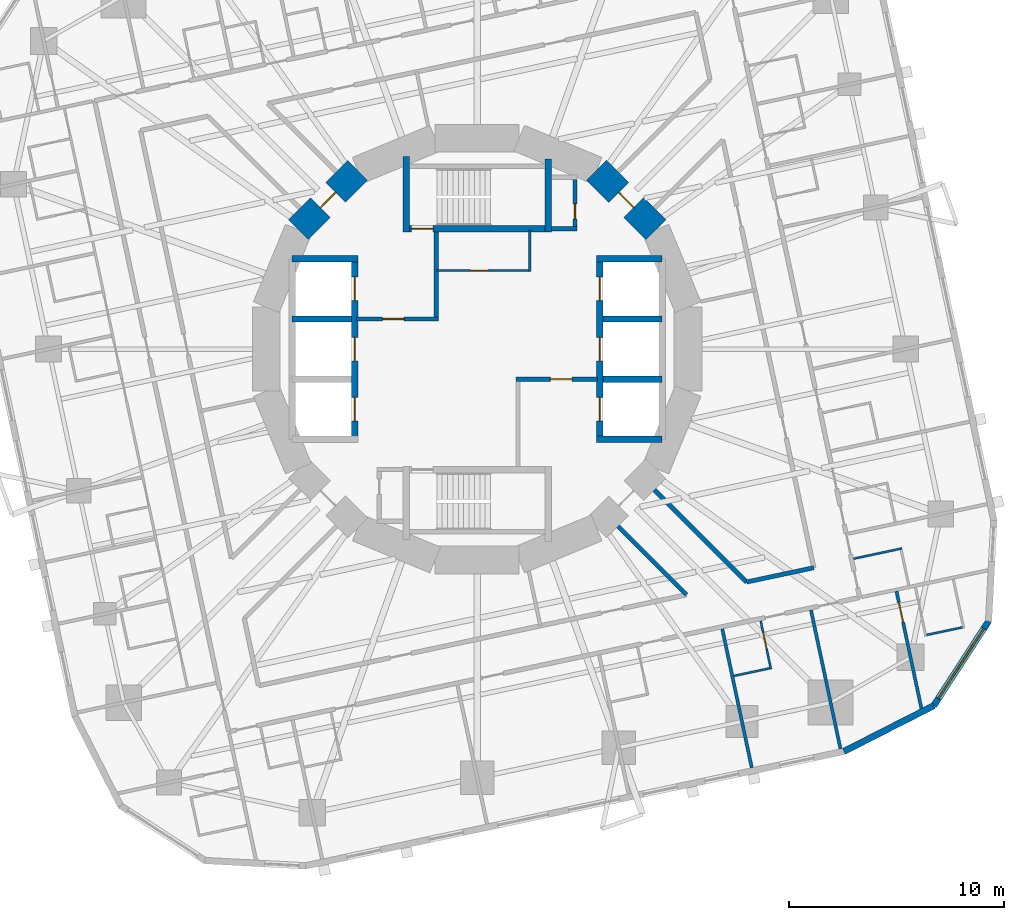
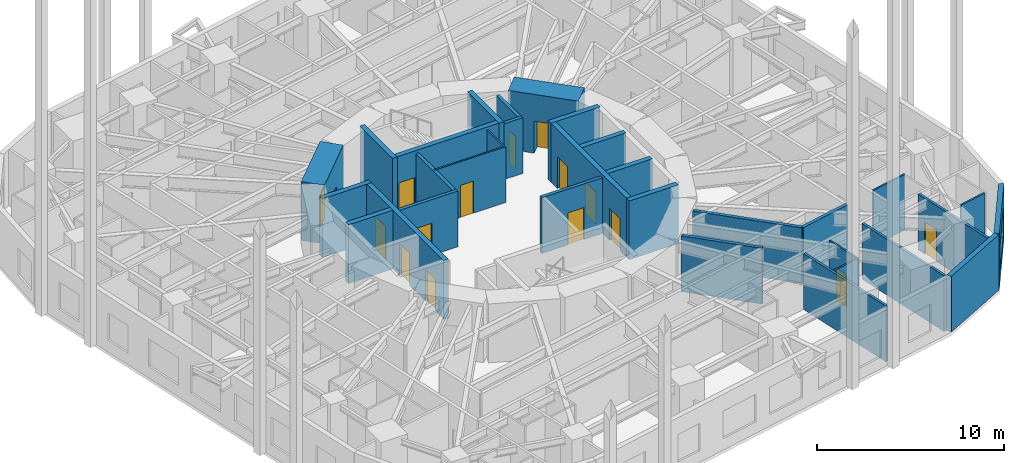
# One storey, part 7 of 12: 32 walls, 15 doors, 1 window, 16 openings.
"""IFC4 building model written with IfcOpenShell, lengths in metres."""

from ifc_helpers import new_model, si_unit, direction, frame, frame_2d, origin, place, context, subcontext, project, spatial, rectangle, extrude, material, layer, layer_set, type_object, element, fill, save


model = new_model("IFC4")

# Units and contexts
model_context = context("Model", 3, precision=1e-05, world=origin(), true_north=direction((0.0, 1.0)))
body_context = subcontext(model_context, "Body", "Model", "MODEL_VIEW")
ifc_project = project(units=[si_unit("LENGTHUNIT", "METRE"), si_unit("AREAUNIT", "SQUARE_METRE"), si_unit("VOLUMEUNIT", "CUBIC_METRE"), si_unit("PLANEANGLEUNIT", "RADIAN"), si_unit("MASSUNIT", "GRAM", prefix="KILO")], contexts=[model_context])

# Site, building, storey
site_placement = place(None, origin())
site = spatial("IfcSite", under=ifc_project, at=site_placement, CompositionType="ELEMENT")
building_placement = place(site_placement, origin())
building = spatial("IfcBuilding", under=site, at=building_placement, Name="Nakasero Lantern House", CompositionType="ELEMENT")
storey_placement = place(building_placement, frame((0.0, 0.0, 101.14990234375)))
storey = spatial("IfcBuildingStorey", under=building, at=storey_placement, Name="L24", CompositionType="ELEMENT", Elevation=101.14990234375)

# Wall, openings, doors
ifc_material_1 = material(Name="Concrete C50/60", Category="concrete")
ifc_layer_1 = layer(ifc_material_1, 0.300048828125)
ifc_layer_set_1 = layer_set([ifc_layer_1], Name="Core inner wall 300")
wall_type_1 = type_object("IfcWallType", Name="Core inner wall 300", PredefinedType="SHEAR", material=ifc_layer_set_1)
wall_1_placement = place(storey_placement, frame((-5.699951171875, -4.199951171875, 0.0), z_axis=(0.0, 0.0, 1.0), x_axis=(0.0, 1.0, 0.0)))
wall_1 = element("IfcWall", 1, at=wall_1_placement, inside=storey, type_object=wall_type_1, Name="Core inner wall L24 LW", PredefinedType="SHEAR", context=body_context, shape_type="SweptSolid", body=[
    extrude(rectangle(XDim=8.39990234375, YDim=0.300048828125, at=frame_2d((4.199951171875, 0.0))), origin(), (0.0, 0.0, 1.0), 3.85009765625),
])
opening_1_placement = place(wall_1_placement, frame((0.85009765625, 0.0, 0.0)))
opening_1 = element("IfcOpeningElement", 2, at=opening_1_placement, cuts=wall_1, Name="Opening LD", PredefinedType="OPENING", context=body_context, shape_type="SweptSolid", body=[
    extrude(rectangle(XDim=1.10009765625, YDim=2.10009765625, at=frame_2d((0.550048828125, 1.050048828125))), frame((0.0, 0.169921875, 0.0), z_axis=(0.0, -1.0, 0.0), x_axis=(1.0, 0.0, 0.0)), (0.0, 0.0, 1.0), 0.340087890625),
])
opening_2_placement = place(wall_1_placement, frame((3.64990234375, 0.0, 0.0)))
opening_2 = element("IfcOpeningElement", 3, at=opening_2_placement, cuts=wall_1, Name="Opening LD", PredefinedType="OPENING", context=body_context, shape_type="SweptSolid", body=[
    extrude(rectangle(XDim=1.10009765625, YDim=2.10009765625, at=frame_2d((0.550048828125, 1.050048828125))), frame((0.0, 0.169921875, 0.0), z_axis=(0.0, -1.0, 0.0), x_axis=(1.0, 0.0, 0.0)), (0.0, 0.0, 1.0), 0.340087890625),
])
opening_3_placement = place(wall_1_placement, frame((6.449951171875, 0.0, 0.0)))
opening_3 = element("IfcOpeningElement", 4, at=opening_3_placement, cuts=wall_1, Name="Opening LD", PredefinedType="OPENING", context=body_context, shape_type="SweptSolid", body=[
    extrude(rectangle(XDim=1.10009765625, YDim=2.10009765625, at=frame_2d((0.550048828125, 1.050048828125))), frame((0.0, 0.169921875, 0.0), z_axis=(0.0, -1.0, 0.0), x_axis=(1.0, 0.0, 0.0)), (0.0, 0.0, 1.0), 0.340087890625),
])
ifc_material_2 = material(Name="Steel S355", Category="steel")
door_type_1 = type_object("IfcDoorType", Name="Lift landing door E120 1100", OperationType="SLIDING_TO_LEFT", PredefinedType="DOOR", material=ifc_material_2)
door_1_placement = place(opening_1_placement, origin())
door_1 = element("IfcDoor", 5, at=door_1_placement, inside=storey, type_object=door_type_1, Name="Lift landing door LW1", OperationType="SLIDING_TO_LEFT", OverallHeight=2.10009765625, OverallWidth=1.10009765625, PredefinedType="DOOR", context=body_context, shape_type="SweptSolid", body=[
    extrude(rectangle(XDim=1.10009765625, YDim=2.10009765625, at=frame_2d((0.550048828125, 1.050048828125))), frame((0.0, 0.02490234375, 0.0), z_axis=(0.0, -1.0, 0.0), x_axis=(1.0, 0.0, 0.0)), (0.0, 0.0, 1.0), 0.050048828125),
])
fill(opening_1, door_1)
door_2_placement = place(opening_2_placement, origin())
door_2 = element("IfcDoor", 6, at=door_2_placement, inside=storey, type_object=door_type_1, Name="Lift landing door LW2", OperationType="SLIDING_TO_LEFT", OverallHeight=2.10009765625, OverallWidth=1.10009765625, PredefinedType="DOOR", context=body_context, shape_type="SweptSolid", body=[
    extrude(rectangle(XDim=1.10009765625, YDim=2.10009765625, at=frame_2d((0.550048828125, 1.050048828125))), frame((0.0, 0.02490234375, 0.0), z_axis=(0.0, -1.0, 0.0), x_axis=(1.0, 0.0, 0.0)), (0.0, 0.0, 1.0), 0.050048828125),
])
fill(opening_2, door_2)
door_3_placement = place(opening_3_placement, origin())
door_3 = element("IfcDoor", 7, at=door_3_placement, inside=storey, type_object=door_type_1, Name="Lift landing door LW3", OperationType="SLIDING_TO_LEFT", OverallHeight=2.10009765625, OverallWidth=1.10009765625, PredefinedType="DOOR", context=body_context, shape_type="SweptSolid", body=[
    extrude(rectangle(XDim=1.10009765625, YDim=2.10009765625, at=frame_2d((0.550048828125, 1.050048828125))), frame((0.0, 0.02490234375, 0.0), z_axis=(0.0, -1.0, 0.0), x_axis=(1.0, 0.0, 0.0)), (0.0, 0.0, 1.0), 0.050048828125),
])
fill(opening_3, door_3)

wall_2_placement = place(storey_placement, frame((5.699951171875, -4.199951171875, 0.0), z_axis=(0.0, 0.0, 1.0), x_axis=(0.0, 1.0, 0.0)))
wall_2 = element("IfcWall", 8, at=wall_2_placement, inside=storey, type_object=wall_type_1, Name="Core inner wall L24 LE", PredefinedType="SHEAR", context=body_context, shape_type="SweptSolid", body=[
    extrude(rectangle(XDim=8.39990234375, YDim=0.300048828125, at=frame_2d((4.199951171875, 0.0))), origin(), (0.0, 0.0, 1.0), 3.85009765625),
])
opening_4_placement = place(wall_2_placement, frame((0.85009765625, 0.0, 0.0)))
opening_4 = element("IfcOpeningElement", 9, at=opening_4_placement, cuts=wall_2, Name="Opening LD", PredefinedType="OPENING", context=body_context, shape_type="SweptSolid", body=[
    extrude(rectangle(XDim=1.10009765625, YDim=2.10009765625, at=frame_2d((0.550048828125, 1.050048828125))), frame((0.0, 0.169921875, 0.0), z_axis=(0.0, -1.0, 0.0), x_axis=(1.0, 0.0, 0.0)), (0.0, 0.0, 1.0), 0.340087890625),
])
opening_5_placement = place(wall_2_placement, frame((3.64990234375, 0.0, 0.0)))
opening_5 = element("IfcOpeningElement", 10, at=opening_5_placement, cuts=wall_2, Name="Opening LD", PredefinedType="OPENING", context=body_context, shape_type="SweptSolid", body=[
    extrude(rectangle(XDim=1.10009765625, YDim=2.10009765625, at=frame_2d((0.550048828125, 1.050048828125))), frame((0.0, 0.169921875, 0.0), z_axis=(0.0, -1.0, 0.0), x_axis=(1.0, 0.0, 0.0)), (0.0, 0.0, 1.0), 0.340087890625),
])
opening_6_placement = place(wall_2_placement, frame((6.449951171875, 0.0, 0.0)))
opening_6 = element("IfcOpeningElement", 11, at=opening_6_placement, cuts=wall_2, Name="Opening LD", PredefinedType="OPENING", context=body_context, shape_type="SweptSolid", body=[
    extrude(rectangle(XDim=1.10009765625, YDim=2.10009765625, at=frame_2d((0.550048828125, 1.050048828125))), frame((0.0, 0.169921875, 0.0), z_axis=(0.0, -1.0, 0.0), x_axis=(1.0, 0.0, 0.0)), (0.0, 0.0, 1.0), 0.340087890625),
])
door_4_placement = place(opening_4_placement, origin())
door_4 = element("IfcDoor", 12, at=door_4_placement, inside=storey, type_object=door_type_1, Name="Lift landing door LE1", OperationType="SLIDING_TO_LEFT", OverallHeight=2.10009765625, OverallWidth=1.10009765625, PredefinedType="DOOR", context=body_context, shape_type="SweptSolid", body=[
    extrude(rectangle(XDim=1.10009765625, YDim=2.10009765625, at=frame_2d((0.550048828125, 1.050048828125))), frame((0.0, 0.02490234375, 0.0), z_axis=(0.0, -1.0, 0.0), x_axis=(1.0, 0.0, 0.0)), (0.0, 0.0, 1.0), 0.050048828125),
])
fill(opening_4, door_4)
door_5_placement = place(opening_5_placement, origin())
door_5 = element("IfcDoor", 13, at=door_5_placement, inside=storey, type_object=door_type_1, Name="Lift landing door LE2", OperationType="SLIDING_TO_LEFT", OverallHeight=2.10009765625, OverallWidth=1.10009765625, PredefinedType="DOOR", context=body_context, shape_type="SweptSolid", body=[
    extrude(rectangle(XDim=1.10009765625, YDim=2.10009765625, at=frame_2d((0.550048828125, 1.050048828125))), frame((0.0, 0.02490234375, 0.0), z_axis=(0.0, -1.0, 0.0), x_axis=(1.0, 0.0, 0.0)), (0.0, 0.0, 1.0), 0.050048828125),
])
fill(opening_5, door_5)
door_6_placement = place(opening_6_placement, origin())
door_6 = element("IfcDoor", 14, at=door_6_placement, inside=storey, type_object=door_type_1, Name="Lift landing door LE3", OperationType="SLIDING_TO_LEFT", OverallHeight=2.10009765625, OverallWidth=1.10009765625, PredefinedType="DOOR", context=body_context, shape_type="SweptSolid", body=[
    extrude(rectangle(XDim=1.10009765625, YDim=2.10009765625, at=frame_2d((0.550048828125, 1.050048828125))), frame((0.0, 0.02490234375, 0.0), z_axis=(0.0, -1.0, 0.0), x_axis=(1.0, 0.0, 0.0)), (0.0, 0.0, 1.0), 0.050048828125),
])
fill(opening_6, door_6)

# Walls
for number, where, z_axis, x_axis, name in (
    (15, (-8.60009765625, 4.199951171875, 0.0), (0.0, 0.0, 1.0), (1.0, 0.0, 0.0), "Core inner wall L24 LWN"),
    (16, (5.550048828125, 4.199951171875, 0.0), (0.0, 0.0, 1.0), (1.0, 0.0, 0.0), "Core inner wall L24 LEN"),
    (17, (5.550048828125, -4.199951171875, 0.0), (0.0, 0.0, 1.0), (1.0, 0.0, 0.0), "Core inner wall L24 LES"),
):
    element("IfcWall", number, at=place(storey_placement, frame(where, z_axis=z_axis, x_axis=x_axis)), inside=storey, type_object=wall_type_1, Name=name, PredefinedType="SHEAR", context=body_context, shape_type="SweptSolid", body=[
        extrude(rectangle(XDim=3.050048828125, YDim=0.300048828125, at=frame_2d((1.52490234375, 0.0))), origin(), (0.0, 0.0, 1.0), 3.85009765625),
    ])
for number, where, z_axis, x_axis, name in (
    (18, (-8.60009765625, 1.39990234375, 0.0), (0.0, 0.0, 1.0), (1.0, 0.0, 0.0), "Core inner wall L24 LW2"),
    (19, (5.85009765625, -1.39990234375, 0.0), (0.0, 0.0, 1.0), (1.0, 0.0, 0.0), "Core inner wall L24 LE1"),
    (20, (5.85009765625, 1.39990234375, 0.0), (0.0, 0.0, 1.0), (1.0, 0.0, 0.0), "Core inner wall L24 LE2"),
):
    element("IfcWall", number, at=place(storey_placement, frame(where, z_axis=z_axis, x_axis=x_axis)), inside=storey, type_object=wall_type_1, Name=name, PredefinedType="SHEAR", context=body_context, shape_type="SweptSolid", body=[
        extrude(rectangle(XDim=2.75, YDim=0.300048828125, at=frame_2d((1.375, 0.0))), origin(), (0.0, 0.0, 1.0), 3.85009765625),
    ])

# Wall, opening, door
wall_3_placement = place(storey_placement, frame((-3.449951171875, 5.60009765625, 0.0), z_axis=(0.0, 0.0, 1.0), x_axis=(1.0, 0.0, 0.0)))
wall_3 = element("IfcWall", 21, at=wall_3_placement, inside=storey, type_object=wall_type_1, Name="Core inner wall L24 SN", PredefinedType="SHEAR", context=body_context, shape_type="SweptSolid", body=[
    extrude(rectangle(XDim=6.89990234375, YDim=0.300048828125, at=frame_2d((3.449951171875, 0.0))), origin(), (0.0, 0.0, 1.0), 3.85009765625),
])
opening_7_placement = place(wall_3_placement, frame((0.39990234375, 0.0, 0.0)))
opening_7 = element("IfcOpeningElement", 22, at=opening_7_placement, cuts=wall_3, Name="Opening D05", PredefinedType="OPENING", context=body_context, shape_type="SweptSolid", body=[
    extrude(rectangle(XDim=1.0, YDim=2.10009765625, at=frame_2d((0.5, 1.050048828125))), frame((0.0, 0.169921875, 0.0), z_axis=(0.0, -1.0, 0.0), x_axis=(1.0, 0.0, 0.0)), (0.0, 0.0, 1.0), 0.340087890625),
])
ifc_material_3 = material(Name="Timber C24", Category="wood")
door_type_2 = type_object("IfcDoorType", Name="Core door FD60S 1000", OperationType="SINGLE_SWING_LEFT", PredefinedType="DOOR", material=ifc_material_3)
door_7_placement = place(opening_7_placement, origin())
door_7 = element("IfcDoor", 23, at=door_7_placement, inside=storey, type_object=door_type_2, Name="Door L24 D-ST1", OperationType="SINGLE_SWING_LEFT", OverallHeight=2.10009765625, OverallWidth=1.0, PredefinedType="DOOR", context=body_context, shape_type="SweptSolid", body=[
    extrude(rectangle(XDim=1.0, YDim=2.10009765625, at=frame_2d((0.5, 1.050048828125))), frame((0.0, 0.02490234375, 0.0), z_axis=(0.0, -1.0, 0.0), x_axis=(1.0, 0.0, 0.0)), (0.0, 0.0, 1.0), 0.050048828125),
])
fill(opening_7, door_7)

# Walls
wall_4_placement = place(storey_placement, frame((-3.300048828125, 5.449951171875, 0.0), z_axis=(0.0, 0.0, 1.0), x_axis=(0.0, 1.0, 0.0)))
element("IfcWall", 24, at=wall_4_placement, inside=storey, type_object=wall_type_1, Name="Core inner wall L24 SNW", PredefinedType="SHEAR", context=body_context, shape_type="SweptSolid", body=[
    extrude(rectangle(XDim=3.5, YDim=0.300048828125, at=frame_2d((1.75, 0.0))), origin(), (0.0, 0.0, 1.0), 3.85009765625),
])
wall_5_placement = place(storey_placement, frame((3.300048828125, 5.449951171875, 0.0), z_axis=(0.0, 0.0, 1.0), x_axis=(0.0, 1.0, 0.0)))
element("IfcWall", 25, at=wall_5_placement, inside=storey, type_object=wall_type_1, Name="Core inner wall L24 SNE", PredefinedType="SHEAR", context=body_context, shape_type="SweptSolid", body=[
    extrude(rectangle(XDim=3.400146484375, YDim=0.300048828125, at=frame_2d((1.7001953125, 0.0))), origin(), (0.0, 0.0, 1.0), 3.85009765625),
])

# Wall, opening, door
ifc_material_4 = material(Name="Blockwork", Category="masonry")
ifc_layer_2 = layer(ifc_material_4, 0.10009765625)
ifc_layer_set_2 = layer_set([ifc_layer_2], Name="Core room wall 100")
wall_type_2 = type_object("IfcWallType", Name="Core room wall 100", PredefinedType="PARTITIONING", material=ifc_layer_set_2)
wall_6_placement = place(storey_placement, frame((-1.89990234375, 3.64990234375, 0.0), z_axis=(0.0, 0.0, 1.0), x_axis=(1.0, 0.0, 0.0)))
wall_6 = element("IfcWall", 26, at=wall_6_placement, inside=storey, type_object=wall_type_2, Name="Core room wall L24 CR-NES", PredefinedType="PARTITIONING", context=body_context, shape_type="SweptSolid", body=[
    extrude(rectangle(XDim=4.39990234375, YDim=0.10009765625, at=frame_2d((2.199951171875, 0.0))), origin(), (0.0, 0.0, 1.0), 3.650146484375),
])
opening_8_placement = place(wall_6_placement, frame((1.60009765625, 0.0, 0.0)))
opening_8 = element("IfcOpeningElement", 27, at=opening_8_placement, cuts=wall_6, Name="Opening D15", PredefinedType="OPENING", context=body_context, shape_type="SweptSolid", body=[
    extrude(rectangle(XDim=0.800048828125, YDim=2.10009765625, at=frame_2d((0.39990234375, 1.050048828125))), frame((0.0, 0.070068359375, 0.0), z_axis=(0.0, -1.0, 0.0), x_axis=(1.0, 0.0, 0.0)), (0.0, 0.0, 1.0), 0.14013671875),
])
ifc_material_5 = material(Name="Timber C24", Category="wood")
door_type_3 = type_object("IfcDoorType", Name="Cleaner's store door FD30S 800", OperationType="SINGLE_SWING_LEFT", PredefinedType="DOOR", material=ifc_material_5)
door_8_placement = place(opening_8_placement, origin())
door_8 = element("IfcDoor", 28, at=door_8_placement, inside=storey, type_object=door_type_3, Name="Door L24 D-CR-NE", OperationType="SINGLE_SWING_LEFT", OverallHeight=2.10009765625, OverallWidth=0.800048828125, PredefinedType="DOOR", context=body_context, shape_type="SweptSolid", body=[
    extrude(rectangle(XDim=0.800048828125, YDim=2.10009765625, at=frame_2d((0.39990234375, 1.050048828125))), frame((0.0, 0.02490234375, 0.0), z_axis=(0.0, -1.0, 0.0), x_axis=(1.0, 0.0, 0.0)), (0.0, 0.0, 1.0), 0.050048828125),
])
fill(opening_8, door_8)

# Wall
wall_7_placement = place(storey_placement, frame((2.449951171875, 3.60009765625, 0.0), z_axis=(0.0, 0.0, 1.0), x_axis=(0.0, 1.0, 0.0)))
element("IfcWall", 29, at=wall_7_placement, inside=storey, type_object=wall_type_2, Name="Core room wall L24 CR-NEE", PredefinedType="PARTITIONING", context=body_context, shape_type="SweptSolid", body=[
    extrude(rectangle(XDim=1.949951171875, YDim=0.10009765625, at=frame_2d((0.97509765625, 0.0))), origin(), (0.0, 0.0, 1.0), 3.650146484375),
])

# Wall, opening, door
ifc_material_6 = material(Name="Concrete C50/60", Category="concrete")
ifc_layer_3 = layer(ifc_material_6, 1.300048828125)
ifc_layer_set_3 = layer_set([ifc_layer_3], Name="Core wall 1300")
wall_type_3 = type_object("IfcWallType", Name="Core wall 1300", PredefinedType="SHEAR", material=ifc_layer_set_3)
wall_8_placement = place(storey_placement, frame((8.314697265625, 5.5556640625, 0.0), z_axis=(0.0, 0.0, 1.0), x_axis=(-0.707106781187, 0.707106781187, 0.0)))
wall_8 = element("IfcWall", 30, at=wall_8_placement, inside=storey, type_object=wall_type_3, Name="Core wall L24 facet 2", PredefinedType="SHEAR", context=body_context, shape_type="SweptSolid", body=[
    extrude(rectangle(XDim=3.90185546875, YDim=1.300048828125, at=frame_2d((1.950927734375, 0.0))), origin(), (0.0, 0.0, 1.0), 3.85009765625),
])
opening_9_placement = place(wall_8_placement, frame((1.450927734375, 0.0, 0.0)))
opening_9 = element("IfcOpeningElement", 31, at=opening_9_placement, cuts=wall_8, Name="Opening D05", PredefinedType="OPENING", context=body_context, shape_type="SweptSolid", body=[
    extrude(rectangle(XDim=1.0, YDim=2.10009765625, at=frame_2d((0.5, 1.050048828125))), frame((0.0, 0.669921875, 0.0), z_axis=(0.0, -1.0, 0.0), x_axis=(1.0, 0.0, 0.0)), (0.0, 0.0, 1.0), 1.340087890625),
])
door_9_placement = place(opening_9_placement, origin())
door_9 = element("IfcDoor", 32, at=door_9_placement, inside=storey, type_object=door_type_2, Name="Door L24 D-CORE02", OperationType="SINGLE_SWING_LEFT", OverallHeight=2.10009765625, OverallWidth=1.0, PredefinedType="DOOR", context=body_context, shape_type="SweptSolid", body=[
    extrude(rectangle(XDim=1.0, YDim=2.10009765625, at=frame_2d((0.5, 1.050048828125))), frame((0.0, 0.02490234375, 0.0), z_axis=(0.0, -1.0, 0.0), x_axis=(1.0, 0.0, 0.0)), (0.0, 0.0, 1.0), 0.050048828125),
])
fill(opening_9, door_9)

wall_9_placement = place(storey_placement, frame((-5.5556640625, 8.314697265625, 0.0), z_axis=(0.0, 0.0, 1.0), x_axis=(-0.707106781187, -0.707106781187, 0.0)))
wall_9 = element("IfcWall", 33, at=wall_9_placement, inside=storey, type_object=wall_type_3, Name="Core wall L24 facet 6", PredefinedType="SHEAR", context=body_context, shape_type="SweptSolid", body=[
    extrude(rectangle(XDim=3.90185546875, YDim=1.300048828125, at=frame_2d((1.950927734375, 0.0))), origin(), (0.0, 0.0, 1.0), 3.85009765625),
])
opening_10_placement = place(wall_9_placement, frame((1.450927734375, 0.0, 0.0)))
opening_10 = element("IfcOpeningElement", 34, at=opening_10_placement, cuts=wall_9, Name="Opening D05", PredefinedType="OPENING", context=body_context, shape_type="SweptSolid", body=[
    extrude(rectangle(XDim=1.0, YDim=2.10009765625, at=frame_2d((0.5, 1.050048828125))), frame((0.0, 0.669921875, 0.0), z_axis=(0.0, -1.0, 0.0), x_axis=(1.0, 0.0, 0.0)), (0.0, 0.0, 1.0), 1.340087890625),
])
door_10_placement = place(opening_10_placement, origin())
door_10 = element("IfcDoor", 35, at=door_10_placement, inside=storey, type_object=door_type_2, Name="Door L24 D-CORE06", OperationType="SINGLE_SWING_LEFT", OverallHeight=2.10009765625, OverallWidth=1.0, PredefinedType="DOOR", context=body_context, shape_type="SweptSolid", body=[
    extrude(rectangle(XDim=1.0, YDim=2.10009765625, at=frame_2d((0.5, 1.050048828125))), frame((0.0, 0.02490234375, 0.0), z_axis=(0.0, -1.0, 0.0), x_axis=(1.0, 0.0, 0.0)), (0.0, 0.0, 1.0), 0.050048828125),
])
fill(opening_10, door_10)

# Walls
ifc_material_7 = material(Name="Blockwork", Category="masonry")
ifc_layer_4 = layer(ifc_material_7, 0.199951171875)
ifc_layer_set_4 = layer_set([ifc_layer_4], Name="Corridor wall 200")
wall_type_4 = type_object("IfcWallType", Name="Corridor wall 200", PredefinedType="PARTITIONING", material=ifc_layer_set_4)
wall_10_placement = place(storey_placement, frame((12.52880859375, -10.831787109375, 0.0), z_axis=(0.0, 0.0, 1.0), x_axis=(0.978141962979, 0.2079382126, 0.0)))
element("IfcWall", 36, at=wall_10_placement, inside=storey, type_object=wall_type_4, Name="Corridor wall L24 IW3-1", PredefinedType="PARTITIONING", context=body_context, shape_type="SweptSolid", body=[
    extrude(rectangle(XDim=3.197021484375, YDim=0.199951171875, at=frame_2d((1.5986328125, 0.0))), origin(), (0.0, 0.0, 1.0), 3.650146484375),
])
wall_11_placement = place(storey_placement, frame((8.243408203125, -6.54638671875, 0.0), z_axis=(0.0, 0.0, 1.0), x_axis=(0.707106781187, -0.707106781187, 0.0)))
element("IfcWall", 37, at=wall_11_placement, inside=storey, type_object=wall_type_4, Name="Corridor wall L24 PS14a", PredefinedType="PARTITIONING", context=body_context, shape_type="SweptSolid", body=[
    extrude(rectangle(XDim=6.060546875, YDim=0.199951171875, at=frame_2d((3.0302734375, 0.0))), origin(), (0.0, 0.0, 1.0), 3.650146484375),
])
wall_12_placement = place(storey_placement, frame((6.54638671875, -8.243408203125, 0.0), z_axis=(0.0, 0.0, 1.0), x_axis=(0.707106781187, -0.707106781187, 0.0)))
element("IfcWall", 38, at=wall_12_placement, inside=storey, type_object=wall_type_4, Name="Corridor wall L24 PS14b", PredefinedType="PARTITIONING", context=body_context, shape_type="SweptSolid", body=[
    extrude(rectangle(XDim=4.501953125, YDim=0.199951171875, at=frame_2d((2.2509765625, 0.0))), origin(), (0.0, 0.0, 1.0), 3.650146484375),
])
ifc_material_8 = material(Name="Blockwork", Category="masonry")
ifc_layer_5 = layer(ifc_material_8, 0.10009765625)
ifc_layer_set_5 = layer_set([ifc_layer_5], Name="En-suite wall 100")
wall_type_5 = type_object("IfcWallType", Name="En-suite wall 100", PredefinedType="PARTITIONING", material=ifc_layer_set_5)
wall_13_placement = place(storey_placement, frame((17.50927734375, -9.74755859375, 0.0), z_axis=(0.0, 0.0, 1.0), x_axis=(0.978162897375, 0.207839712757, 0.0)))
element("IfcWall", 39, at=wall_13_placement, inside=storey, type_object=wall_type_5, Name="En-suite wall L24 ES0-00", PredefinedType="PARTITIONING", context=body_context, shape_type="SweptSolid", body=[
    extrude(rectangle(XDim=2.300048828125, YDim=0.10009765625, at=frame_2d((1.14990234375, 0.0))), origin(), (0.0, 0.0, 1.0), 3.650146484375),
])

# Wall, opening, door
wall_14_placement = place(storey_placement, frame((13.185302734375, -12.634765625, 0.0), z_axis=(0.0, 0.0, 1.0), x_axis=(0.207941273027, -0.978141312374, 0.0)))
wall_14 = element("IfcWall", 40, at=wall_14_placement, inside=storey, type_object=wall_type_5, Name="En-suite wall L24 ES3-07", PredefinedType="PARTITIONING", context=body_context, shape_type="SweptSolid", body=[
    extrude(rectangle(XDim=2.300048828125, YDim=0.10009765625, at=frame_2d((1.14990234375, 0.0))), origin(), (0.0, 0.0, 1.0), 3.650146484375),
])
opening_11_placement = place(wall_14_placement, frame((0.550048828125, 0.0, 0.0)))
opening_11 = element("IfcOpeningElement", 41, at=opening_11_placement, cuts=wall_14, Name="Opening D02", PredefinedType="OPENING", context=body_context, shape_type="SweptSolid", body=[
    extrude(rectangle(XDim=0.800048828125, YDim=2.10009765625, at=frame_2d((0.39990234375, 1.050048828125))), frame((0.0, 0.070068359375, 0.0), z_axis=(0.0, -1.0, 0.0), x_axis=(1.0, 0.0, 0.0)), (0.0, 0.0, 1.0), 0.14013671875),
])
ifc_material_9 = material(Name="Timber C24", Category="wood")
door_type_4 = type_object("IfcDoorType", Name="En-suite door 800", OperationType="SINGLE_SWING_RIGHT", PredefinedType="DOOR", material=ifc_material_9)
door_11_placement = place(opening_11_placement, origin())
door_11 = element("IfcDoor", 42, at=door_11_placement, inside=storey, type_object=door_type_4, Name="Door L24 DE3-07", OperationType="SINGLE_SWING_LEFT", OverallHeight=2.10009765625, OverallWidth=0.800048828125, PredefinedType="DOOR", context=body_context, shape_type="SweptSolid", body=[
    extrude(rectangle(XDim=0.800048828125, YDim=2.10009765625, at=frame_2d((0.39990234375, 1.050048828125))), frame((0.0, 0.02490234375, 0.0), z_axis=(0.0, -1.0, 0.0), x_axis=(1.0, 0.0, 0.0)), (0.0, 0.0, 1.0), 0.050048828125),
])
fill(opening_11, door_11)

# Walls
for number, where, z_axis, x_axis, name in (
    (43, (11.94140625, -15.199462890625, 0.0), (0.0, 0.0, 1.0), (0.97813950236, 0.207949787024, 0.0), "En-suite wall L24 EE3-07"),
    (44, (20.906494140625, -13.293701171875, 0.0), (0.0, 0.0, 1.0), (0.978168704767, 0.207812379357, 0.0), "En-suite wall L24 EE3-08"),
):
    element("IfcWall", number, at=place(storey_placement, frame(where, z_axis=z_axis, x_axis=x_axis)), inside=storey, type_object=wall_type_5, Name=name, PredefinedType="PARTITIONING", context=body_context, shape_type="SweptSolid", body=[
        extrude(rectangle(XDim=1.699951171875, YDim=0.10009765625, at=frame_2d((0.85009765625, 0.0))), origin(), (0.0, 0.0, 1.0), 3.650146484375),
    ])
ifc_material_10 = material(Name="Aluminium rainscreen on blockwork", Category="masonry")
ifc_layer_6 = layer(ifc_material_10, 0.300048828125)
ifc_layer_set_6 = layer_set([ifc_layer_6], Name="Facade wall 300")
wall_type_6 = type_object("IfcWallType", Name="Facade wall 300", PredefinedType="SOLIDWALL", material=ifc_layer_set_6)
wall_15_placement = place(storey_placement, frame((17.063232421875, -18.711181640625, 0.0), z_axis=(0.0, 0.0, 1.0), x_axis=(0.89101404178, 0.453975745332, 0.0)))
element("IfcWall", 45, at=wall_15_placement, inside=storey, type_object=wall_type_6, Name="Facade wall L24 FW3C1", PredefinedType="SOLIDWALL", context=body_context, shape_type="SweptSolid", body=[
    extrude(rectangle(XDim=4.6845703125, YDim=0.300048828125, at=frame_2d((2.34228515625, 0.0))), origin(), (0.0, 0.0, 1.0), 3.650146484375),
])

# Wall, opening, window
wall_16_placement = place(storey_placement, frame((21.2373046875, -16.58447265625, 0.0), z_axis=(0.0, 0.0, 1.0), x_axis=(0.544605442853, 0.838692381994, 0.0)))
wall_16 = element("IfcWall", 46, at=wall_16_placement, inside=storey, type_object=wall_type_6, Name="Facade wall L24 FW3C2", PredefinedType="SOLIDWALL", context=body_context, shape_type="SweptSolid", body=[
    extrude(rectangle(XDim=4.6845703125, YDim=0.300048828125, at=frame_2d((2.34228515625, 0.0))), origin(), (0.0, 0.0, 1.0), 3.650146484375),
])
opening_12_placement = place(wall_16_placement, frame((0.39990234375, 0.0, 0.75)))
opening_12 = element("IfcOpeningElement", 47, at=opening_12_placement, cuts=wall_16, Name="Opening W238", PredefinedType="OPENING", context=body_context, shape_type="SweptSolid", body=[
    extrude(rectangle(XDim=3.885009765625, YDim=1.800048828125, at=frame_2d((1.9423828125, 0.89990234375))), frame((0.0, 0.169921875, 0.0), z_axis=(0.0, -1.0, 0.0), x_axis=(1.0, 0.0, 0.0)), (0.0, 0.0, 1.0), 0.340087890625),
])
ifc_material_11 = material(Name="Aluminium 6063-T6 and glass", Category="aluminium")
window_type = type_object("IfcWindowType", Name="Corner window 3885x1800", PartitioningType="SINGLE_PANEL", PredefinedType="WINDOW", material=ifc_material_11)
window_placement = place(opening_12_placement, origin())
window = element("IfcWindow", 48, at=window_placement, inside=storey, type_object=window_type, Name="Window L24 WC3", OverallHeight=1.800048828125, OverallWidth=3.885009765625, PartitioningType="SINGLE_PANEL", PredefinedType="WINDOW", context=body_context, shape_type="SweptSolid", body=[
    extrude(rectangle(XDim=3.885009765625, YDim=1.800048828125, at=frame_2d((1.9423828125, 0.89990234375))), frame((0.0, 0.030029296875, 0.0), z_axis=(0.0, -1.0, 0.0), x_axis=(1.0, 0.0, 0.0)), (0.0, 0.0, 1.0), 0.06005859375),
])
fill(opening_12, window)

# Wall, opening, door
ifc_material_12 = material(Name="Blockwork", Category="masonry")
ifc_layer_7 = layer(ifc_material_12, 0.199951171875)
ifc_layer_set_7 = layer_set([ifc_layer_7], Name="Fire lobby wall 200")
wall_type_7 = type_object("IfcWallType", Name="Fire lobby wall 200", PredefinedType="PARTITIONING", material=ifc_layer_set_7)
wall_17_placement = place(storey_placement, frame((-5.60009765625, 1.39990234375, 0.0), z_axis=(0.0, 0.0, 1.0), x_axis=(1.0, 0.0, 0.0)))
wall_17 = element("IfcWall", 49, at=wall_17_placement, inside=storey, type_object=wall_type_7, Name="Fire lobby wall L24 W-FL1S", PredefinedType="PARTITIONING", context=body_context, shape_type="SweptSolid", body=[
    extrude(rectangle(XDim=3.800048828125, YDim=0.199951171875, at=frame_2d((1.89990234375, 0.0))), origin(), (0.0, 0.0, 1.0), 3.650146484375),
])
opening_13_placement = place(wall_17_placement, frame((1.199951171875, 0.0, 0.0)))
opening_13 = element("IfcOpeningElement", 50, at=opening_13_placement, cuts=wall_17, Name="Opening D05", PredefinedType="OPENING", context=body_context, shape_type="SweptSolid", body=[
    extrude(rectangle(XDim=1.0, YDim=2.10009765625, at=frame_2d((0.5, 1.050048828125))), frame((0.0, 0.119873046875, 0.0), z_axis=(0.0, -1.0, 0.0), x_axis=(1.0, 0.0, 0.0)), (0.0, 0.0, 1.0), 0.239990234375),
])
door_12_placement = place(opening_13_placement, origin())
door_12 = element("IfcDoor", 51, at=door_12_placement, inside=storey, type_object=door_type_2, Name="Door L24 D-FL1", OperationType="SINGLE_SWING_LEFT", OverallHeight=2.10009765625, OverallWidth=1.0, PredefinedType="DOOR", context=body_context, shape_type="SweptSolid", body=[
    extrude(rectangle(XDim=1.0, YDim=2.10009765625, at=frame_2d((0.5, 1.050048828125))), frame((0.0, 0.02490234375, 0.0), z_axis=(0.0, -1.0, 0.0), x_axis=(1.0, 0.0, 0.0)), (0.0, 0.0, 1.0), 0.050048828125),
])
fill(opening_13, door_12)

# Wall
wall_18_placement = place(storey_placement, frame((-1.89990234375, 1.5, 0.0), z_axis=(0.0, 0.0, 1.0), x_axis=(0.0, 1.0, 0.0)))
element("IfcWall", 52, at=wall_18_placement, inside=storey, type_object=wall_type_7, Name="Fire lobby wall L24 W-FL1E", PredefinedType="PARTITIONING", context=body_context, shape_type="SweptSolid", body=[
    extrude(rectangle(XDim=3.949951171875, YDim=0.199951171875, at=frame_2d((1.97509765625, 0.0))), origin(), (0.0, 0.0, 1.0), 3.650146484375),
])

# Wall, opening, door
wall_19_placement = place(storey_placement, frame((5.60009765625, -1.39990234375, 0.0), z_axis=(0.0, 0.0, 1.0), x_axis=(-1.0, 0.0, 0.0)))
wall_19 = element("IfcWall", 53, at=wall_19_placement, inside=storey, type_object=wall_type_7, Name="Fire lobby wall L24 W-FL2N", PredefinedType="PARTITIONING", context=body_context, shape_type="SweptSolid", body=[
    extrude(rectangle(XDim=3.800048828125, YDim=0.199951171875, at=frame_2d((1.89990234375, 0.0))), origin(), (0.0, 0.0, 1.0), 3.650146484375),
])
opening_14_placement = place(wall_19_placement, frame((1.199951171875, 0.0, 0.0)))
opening_14 = element("IfcOpeningElement", 54, at=opening_14_placement, cuts=wall_19, Name="Opening D05", PredefinedType="OPENING", context=body_context, shape_type="SweptSolid", body=[
    extrude(rectangle(XDim=1.0, YDim=2.10009765625, at=frame_2d((0.5, 1.050048828125))), frame((0.0, 0.119873046875, 0.0), z_axis=(0.0, -1.0, 0.0), x_axis=(1.0, 0.0, 0.0)), (0.0, 0.0, 1.0), 0.239990234375),
])
door_13_placement = place(opening_14_placement, origin())
door_13 = element("IfcDoor", 55, at=door_13_placement, inside=storey, type_object=door_type_2, Name="Door L24 D-FL2", OperationType="SINGLE_SWING_LEFT", OverallHeight=2.10009765625, OverallWidth=1.0, PredefinedType="DOOR", context=body_context, shape_type="SweptSolid", body=[
    extrude(rectangle(XDim=1.0, YDim=2.10009765625, at=frame_2d((0.5, 1.050048828125))), frame((0.0, 0.02490234375, 0.0), z_axis=(0.0, -1.0, 0.0), x_axis=(1.0, 0.0, 0.0)), (0.0, 0.0, 1.0), 0.050048828125),
])
fill(opening_14, door_13)

wall_20_placement = place(storey_placement, frame((4.550048828125, 5.60009765625, 0.0), z_axis=(0.0, 0.0, 1.0), x_axis=(0.0, 1.0, 0.0)))
wall_20 = element("IfcWall", 56, at=wall_20_placement, inside=storey, type_object=wall_type_7, Name="Fire lobby wall L24 W-RS1E", PredefinedType="PARTITIONING", context=body_context, shape_type="SweptSolid", body=[
    extrude(rectangle(XDim=2.39990234375, YDim=0.199951171875, at=frame_2d((1.199951171875, 0.0))), origin(), (0.0, 0.0, 1.0), 3.650146484375),
])
opening_15_placement = place(wall_20_placement, frame((0.449951171875, 0.0, 0.0)))
opening_15 = element("IfcOpeningElement", 57, at=opening_15_placement, cuts=wall_20, Name="Opening D06", PredefinedType="OPENING", context=body_context, shape_type="SweptSolid", body=[
    extrude(rectangle(XDim=0.699951171875, YDim=2.10009765625, at=frame_2d((0.35009765625, 1.050048828125))), frame((0.0, 0.119873046875, 0.0), z_axis=(0.0, -1.0, 0.0), x_axis=(1.0, 0.0, 0.0)), (0.0, 0.0, 1.0), 0.239990234375),
])
ifc_material_13 = material(Name="Steel S355", Category="steel")
door_type_5 = type_object("IfcDoorType", Name="Riser door FD60 700", OperationType="SINGLE_SWING_LEFT", PredefinedType="DOOR", material=ifc_material_13)
door_14_placement = place(opening_15_placement, origin())
door_14 = element("IfcDoor", 58, at=door_14_placement, inside=storey, type_object=door_type_5, Name="Door L24 D-RS1", OperationType="SINGLE_SWING_LEFT", OverallHeight=2.10009765625, OverallWidth=0.699951171875, PredefinedType="DOOR", context=body_context, shape_type="SweptSolid", body=[
    extrude(rectangle(XDim=0.699951171875, YDim=2.10009765625, at=frame_2d((0.35009765625, 1.050048828125))), frame((0.0, 0.02490234375, 0.0), z_axis=(0.0, -1.0, 0.0), x_axis=(1.0, 0.0, 0.0)), (0.0, 0.0, 1.0), 0.050048828125),
])
fill(opening_15, door_14)

# Walls
wall_21_placement = place(storey_placement, frame((3.449951171875, 5.60009765625, 0.0), z_axis=(0.0, 0.0, 1.0), x_axis=(1.0, 0.0, 0.0)))
element("IfcWall", 59, at=wall_21_placement, inside=storey, type_object=wall_type_7, Name="Fire lobby wall L24 W-RS1S", PredefinedType="PARTITIONING", context=body_context, shape_type="SweptSolid", body=[
    extrude(rectangle(XDim=1.199951171875, YDim=0.199951171875, at=frame_2d((0.60009765625, 0.0))), origin(), (0.0, 0.0, 1.0), 3.650146484375),
])
ifc_material_14 = material(Name="Blockwork", Category="masonry")
ifc_layer_8 = layer(ifc_material_14, 0.14990234375)
ifc_layer_set_8 = layer_set([ifc_layer_8], Name="Party wall 150")
wall_type_8 = type_object("IfcWallType", Name="Party wall 150", PredefinedType="PARTITIONING", material=ifc_layer_set_8)
for number, where, z_axis, x_axis, name in (
    (60, (11.400146484375, -13.01416015625, 0.0), (0.0, 0.0, 1.0), (0.207924673876, -0.978144841009, 0.0), "Party wall L24 PW3-07"),
    (61, (15.526123046875, -12.13720703125, 0.0), (0.0, 0.0, 1.0), (0.207924673876, -0.978144841009, 0.0), "Party wall L24 PW3-08"),
):
    element("IfcWall", number, at=place(storey_placement, frame(where, z_axis=z_axis, x_axis=x_axis)), inside=storey, type_object=wall_type_8, Name=name, PredefinedType="PARTITIONING", context=body_context, shape_type="SweptSolid", body=[
        extrude(rectangle(XDim=6.60009765625, YDim=0.14990234375, at=frame_2d((3.300048828125, 0.0))), origin(), (0.0, 0.0, 1.0), 3.650146484375),
    ])

# Wall, opening, door
wall_22_placement = place(storey_placement, frame((19.502197265625, -11.256103515625, 0.0), z_axis=(0.0, 0.0, 1.0), x_axis=(0.207936339891, -0.978142361087, 0.0)))
wall_22 = element("IfcWall", 62, at=wall_22_placement, inside=storey, type_object=wall_type_8, Name="Party wall L24 PC3", PredefinedType="PARTITIONING", context=body_context, shape_type="SweptSolid", body=[
    extrude(rectangle(XDim=5.570068359375, YDim=0.14990234375, at=frame_2d((2.78515625, 0.0))), origin(), (0.0, 0.0, 1.0), 3.650146484375),
])
opening_16_placement = place(wall_22_placement, frame((0.534912109375, 0.0, 0.0)))
opening_16 = element("IfcOpeningElement", 63, at=opening_16_placement, cuts=wall_22, Name="Opening D01", PredefinedType="OPENING", context=body_context, shape_type="SweptSolid", body=[
    extrude(rectangle(XDim=0.949951171875, YDim=2.10009765625, at=frame_2d((0.47509765625, 1.050048828125))), frame((0.0, 0.094970703125, 0.0), z_axis=(0.0, -1.0, 0.0), x_axis=(1.0, 0.0, 0.0)), (0.0, 0.0, 1.0), 0.18994140625),
])
ifc_material_15 = material(Name="Timber C24", Category="wood")
door_type_6 = type_object("IfcDoorType", Name="Bedroom door FD30S 950", OperationType="SINGLE_SWING_LEFT", PredefinedType="DOOR", material=ifc_material_15)
door_15_placement = place(opening_16_placement, origin())
door_15 = element("IfcDoor", 64, at=door_15_placement, inside=storey, type_object=door_type_6, Name="Door L24 DC3", OperationType="SINGLE_SWING_LEFT", OverallHeight=2.10009765625, OverallWidth=0.949951171875, PredefinedType="DOOR", context=body_context, shape_type="SweptSolid", body=[
    extrude(rectangle(XDim=0.949951171875, YDim=2.10009765625, at=frame_2d((0.47509765625, 1.050048828125))), frame((0.0, 0.02490234375, 0.0), z_axis=(0.0, -1.0, 0.0), x_axis=(1.0, 0.0, 0.0)), (0.0, 0.0, 1.0), 0.050048828125),
])
fill(opening_16, door_15)

save(model, "model.ifc")
